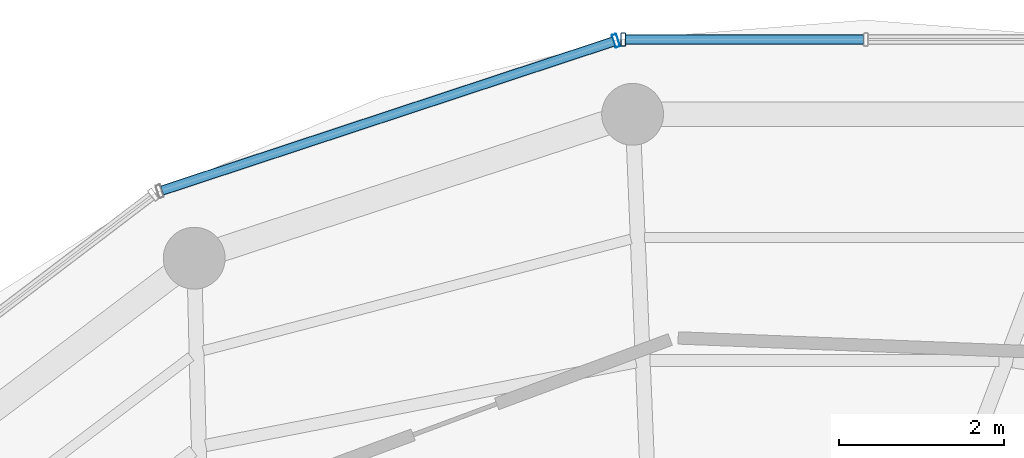
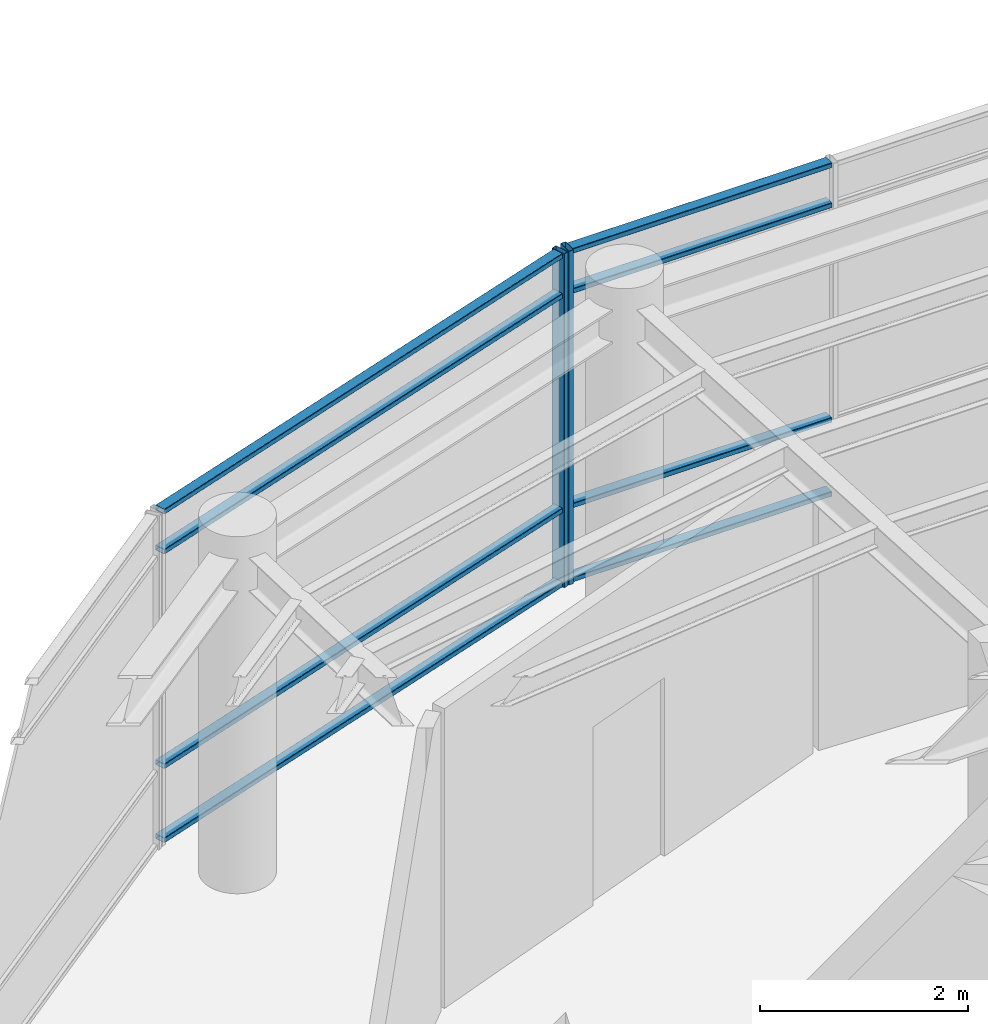
# One storey, part 11 of 19: 10 members, 2 elements without a shape of their own.
"""IFC4 building model written with IfcOpenShell, lengths in metres."""

from ifc_helpers import new_model, si_unit, direction, frame, origin, origin_2d, place, context, subcontext, project, spatial, hollow_rectangle, extrude, material, layer, layer_set, material_profile, profile_set, type_object, element, aggregate, save


model = new_model("IFC4")

# Units and contexts
model_context = context("Model", 3, precision=1e-05, world=origin(), true_north=direction((0.0, 1.0)))
body_context = subcontext(model_context, "Body", "Model", "MODEL_VIEW")
ifc_project = project(units=[si_unit("LENGTHUNIT", "METRE"), si_unit("AREAUNIT", "SQUARE_METRE"), si_unit("VOLUMEUNIT", "CUBIC_METRE"), si_unit("PLANEANGLEUNIT", "RADIAN"), si_unit("MASSUNIT", "GRAM", prefix="KILO")], contexts=[model_context])

# Site, building, storey
site_placement = place(None, origin())
site = spatial("IfcSite", under=ifc_project, at=site_placement, CompositionType="ELEMENT")
building_placement = place(site_placement, origin())
building = spatial("IfcBuilding", under=site, at=building_placement, Name="Kelanora Arch Commons", CompositionType="ELEMENT")
storey_placement = place(building_placement, frame((0.0, 0.0, 302.699951171875)))
storey = spatial("IfcBuildingStorey", under=building, at=storey_placement, Name="L77", CompositionType="ELEMENT", Elevation=302.699951171875)

# Curtain wall, member
ifc_material_1 = material(Name="Terracotta ceramic-fritted low-E glass and aluminium", Category="masonry")
ifc_layer = layer(ifc_material_1, 0.14990234375)
ifc_layer_set = layer_set([ifc_layer], Name="Terracotta ceramic-fritted low-E glass and aluminium")
curtain_wall_type = type_object("IfcCurtainWallType", Name="CW-SYS-06", PredefinedType="NOTDEFINED", material=ifc_layer_set)
curtain_wall_1_placement = place(storey_placement, origin())
curtain_wall_1 = element("IfcCurtainWall", 1, at=curtain_wall_1_placement, inside=storey, type_object=curtain_wall_type, Name="Unitised Curtain Wall L77-B04", PredefinedType="NOTDEFINED")
ifc_material_2 = material(Name="Powder-coated aluminium terracotta", Category="masonry")
ifc_material_profile_1 = material_profile(ifc_material_2, hollow_rectangle(XDim=0.159912109375, YDim=0.06005859375, WallThickness=0.0048828125, InnerFilletRadius=0.0048828125, OuterFilletRadius=0.010009765625, at=origin_2d()), Name="CWM160x60")
ifc_profile_set_1 = profile_set([ifc_material_profile_1], Name="Powder-coated aluminium terracotta")
member_type_1 = type_object("IfcMemberType", Name="CWM-STD", PredefinedType="MULLION", material=ifc_profile_set_1)
member_1_placement = place(storey_placement, frame((71.058349609375, 73.363037109375, 0.0), z_axis=(0.0, 0.0, 1.0), x_axis=(0.0, -1.0, 0.0)))
member_1 = element("IfcMember", 2, at=member_1_placement, type_object=member_type_1, Name="CW-06 mullion 3", PredefinedType="MULLION", context=body_context, shape_type="SweptSolid", body=[
    extrude(hollow_rectangle(XDim=0.159912109375, YDim=0.06005859375, WallThickness=0.0048828125, InnerFilletRadius=0.0048828125, OuterFilletRadius=0.010009765625, at=origin_2d()), origin(), (0.0, 0.0, 1.0), 3.925048828125),
])

curtain_wall_2_placement = place(storey_placement, origin())
curtain_wall_2 = element("IfcCurtainWall", 3, at=curtain_wall_2_placement, inside=storey, type_object=curtain_wall_type, Name="Unitised Curtain Wall L77-B05", PredefinedType="NOTDEFINED")
member_2_placement = place(storey_placement, frame((70.970703125, 73.348876953125, 0.0), z_axis=(0.0, 0.0, 1.0), x_axis=(0.313466845323, -0.949599145368, 0.0)))
member_2 = element("IfcMember", 4, at=member_2_placement, type_object=member_type_1, Name="CW-06 mullion 1", PredefinedType="MULLION", context=body_context, shape_type="SweptSolid", body=[
    extrude(hollow_rectangle(XDim=0.159912109375, YDim=0.06005859375, WallThickness=0.0048828125, InnerFilletRadius=0.0048828125, OuterFilletRadius=0.010009765625, at=origin_2d()), origin(), (0.0, 0.0, 1.0), 3.925048828125),
])

# Member
ifc_material_profile_2 = material_profile(ifc_material_2, hollow_rectangle(XDim=0.1201171875, YDim=0.06005859375, WallThickness=0.0048828125, InnerFilletRadius=0.0048828125, OuterFilletRadius=0.010009765625, at=origin_2d()), Name="CWT120x60")
ifc_profile_set_2 = profile_set([ifc_material_profile_2], Name="Powder-coated aluminium terracotta")
member_type_2 = type_object("IfcMemberType", Name="CWT-STD", PredefinedType="USERDEFINED", material=ifc_profile_set_2)
member_3_placement = place(storey_placement, frame((73.969970703125, 73.363037109375, 0.030029296875), z_axis=(-1.0, 0.0, 0.0), x_axis=(0.0, -1.0, 0.0)))
member_3 = element("IfcMember", 5, at=member_3_placement, type_object=member_type_2, Name="CW-06 transom 2.1", ObjectType="TRANSOM", PredefinedType="USERDEFINED", context=body_context, shape_type="SweptSolid", body=[
    extrude(hollow_rectangle(XDim=0.1201171875, YDim=0.06005859375, WallThickness=0.0048828125, InnerFilletRadius=0.0048828125, OuterFilletRadius=0.010009765625, at=origin_2d()), origin(), (0.0, 0.0, 1.0), 2.881591796875),
])

member_4_placement = place(storey_placement, frame((73.969970703125, 73.363037109375, 0.900146484375), z_axis=(-1.0, 0.0, 0.0), x_axis=(0.0, -1.0, 0.0)))
member_4 = element("IfcMember", 6, at=member_4_placement, type_object=member_type_2, Name="CW-06 transom 2.2", ObjectType="TRANSOM", PredefinedType="USERDEFINED", context=body_context, shape_type="SweptSolid", body=[
    extrude(hollow_rectangle(XDim=0.1201171875, YDim=0.06005859375, WallThickness=0.0048828125, InnerFilletRadius=0.0048828125, OuterFilletRadius=0.010009765625, at=origin_2d()), origin(), (0.0, 0.0, 1.0), 2.881591796875),
])

member_5_placement = place(storey_placement, frame((73.969970703125, 73.363037109375, 3.425048828125), z_axis=(-1.0, 0.0, 0.0), x_axis=(0.0, -1.0, 0.0)))
member_5 = element("IfcMember", 7, at=member_5_placement, type_object=member_type_2, Name="CW-06 transom 2.3", ObjectType="TRANSOM", PredefinedType="USERDEFINED", context=body_context, shape_type="SweptSolid", body=[
    extrude(hollow_rectangle(XDim=0.1201171875, YDim=0.06005859375, WallThickness=0.0048828125, InnerFilletRadius=0.0048828125, OuterFilletRadius=0.010009765625, at=origin_2d()), origin(), (0.0, 0.0, 1.0), 2.881591796875),
])

member_6_placement = place(storey_placement, frame((73.969970703125, 73.363037109375, 3.89501953125), z_axis=(-1.0, 0.0, 0.0), x_axis=(0.0, -1.0, 0.0)))
member_6 = element("IfcMember", 8, at=member_6_placement, type_object=member_type_2, Name="CW-06 transom 2.4", ObjectType="TRANSOM", PredefinedType="USERDEFINED", context=body_context, shape_type="SweptSolid", body=[
    extrude(hollow_rectangle(XDim=0.1201171875, YDim=0.06005859375, WallThickness=0.0048828125, InnerFilletRadius=0.0048828125, OuterFilletRadius=0.010009765625, at=origin_2d()), origin(), (0.0, 0.0, 1.0), 2.881591796875),
])

aggregate(curtain_wall_1, [member_1, member_3, member_4, member_5, member_6])

member_7_placement = place(storey_placement, frame((70.942138671875, 73.339599609375, 0.030029296875), z_axis=(-0.949590431956, -0.31349324002, 0.0), x_axis=(0.31349324002, -0.949590431956, 0.0)))
member_7 = element("IfcMember", 9, at=member_7_placement, type_object=member_type_2, Name="CW-06 transom 1.1", ObjectType="TRANSOM", PredefinedType="USERDEFINED", context=body_context, shape_type="SweptSolid", body=[
    extrude(hollow_rectangle(XDim=0.1201171875, YDim=0.06005859375, WallThickness=0.0048828125, InnerFilletRadius=0.0048828125, OuterFilletRadius=0.010009765625, at=origin_2d()), origin(), (0.0, 0.0, 1.0), 5.761474609375),
])

member_8_placement = place(storey_placement, frame((70.942138671875, 73.339599609375, 0.900146484375), z_axis=(-0.949590431956, -0.31349324002, 0.0), x_axis=(0.31349324002, -0.949590431956, 0.0)))
member_8 = element("IfcMember", 10, at=member_8_placement, type_object=member_type_2, Name="CW-06 transom 1.2", ObjectType="TRANSOM", PredefinedType="USERDEFINED", context=body_context, shape_type="SweptSolid", body=[
    extrude(hollow_rectangle(XDim=0.1201171875, YDim=0.06005859375, WallThickness=0.0048828125, InnerFilletRadius=0.0048828125, OuterFilletRadius=0.010009765625, at=origin_2d()), origin(), (0.0, 0.0, 1.0), 5.761474609375),
])

member_9_placement = place(storey_placement, frame((70.942138671875, 73.339599609375, 3.425048828125), z_axis=(-0.949590431956, -0.31349324002, 0.0), x_axis=(0.31349324002, -0.949590431956, 0.0)))
member_9 = element("IfcMember", 11, at=member_9_placement, type_object=member_type_2, Name="CW-06 transom 1.3", ObjectType="TRANSOM", PredefinedType="USERDEFINED", context=body_context, shape_type="SweptSolid", body=[
    extrude(hollow_rectangle(XDim=0.1201171875, YDim=0.06005859375, WallThickness=0.0048828125, InnerFilletRadius=0.0048828125, OuterFilletRadius=0.010009765625, at=origin_2d()), origin(), (0.0, 0.0, 1.0), 5.761474609375),
])

member_10_placement = place(storey_placement, frame((70.942138671875, 73.339599609375, 3.89501953125), z_axis=(-0.949590431956, -0.31349324002, 0.0), x_axis=(0.31349324002, -0.949590431956, 0.0)))
member_10 = element("IfcMember", 12, at=member_10_placement, type_object=member_type_2, Name="CW-06 transom 1.4", ObjectType="TRANSOM", PredefinedType="USERDEFINED", context=body_context, shape_type="SweptSolid", body=[
    extrude(hollow_rectangle(XDim=0.1201171875, YDim=0.06005859375, WallThickness=0.0048828125, InnerFilletRadius=0.0048828125, OuterFilletRadius=0.010009765625, at=origin_2d()), origin(), (0.0, 0.0, 1.0), 5.761474609375),
])

aggregate(curtain_wall_2, [member_2, member_7, member_8, member_9, member_10])

save(model, "model.ifc")
